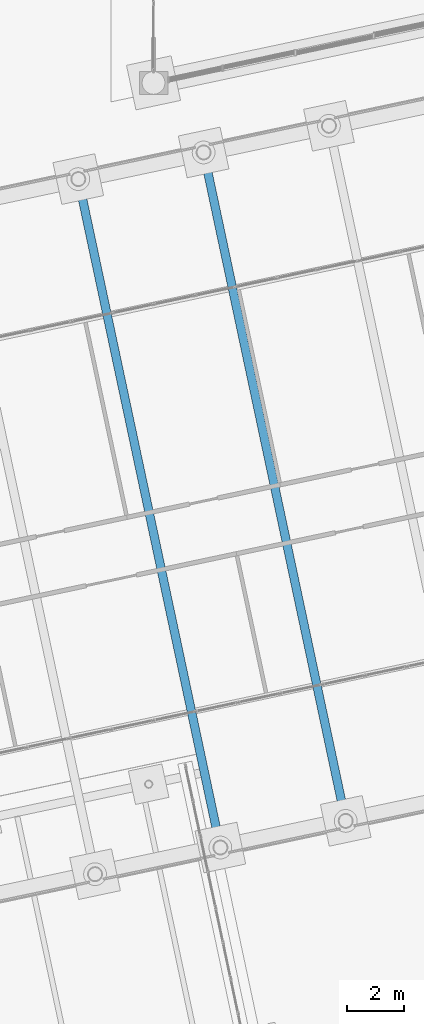
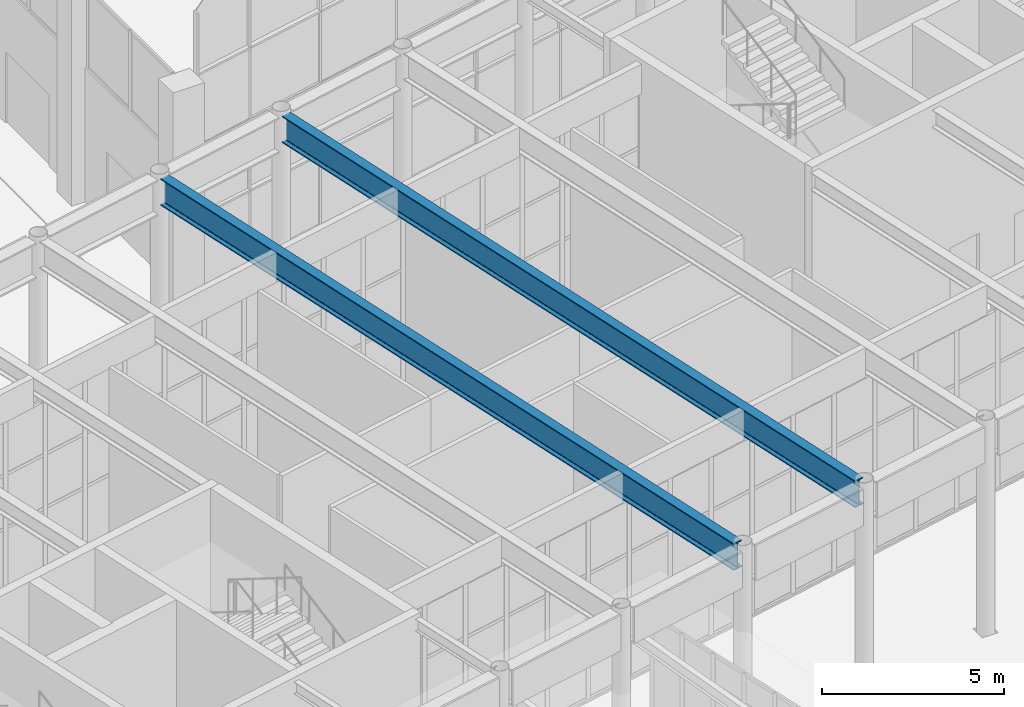
# One storey, part 88 of 239: 2 beams.
"""IFC4 building model written with IfcOpenShell, lengths in metres."""

from ifc_helpers import new_model, si_unit, direction, frame, origin, origin_2d, place, context, subcontext, project, spatial, i_section, extrude, material, material_profile, profile_set, type_object, element, save


model = new_model("IFC4")

# Units and contexts
model_context = context("Model", 3, precision=1e-05, world=origin(), true_north=direction((0.0, 1.0)))
body_context = subcontext(model_context, "Body", "Model", "MODEL_VIEW")
ifc_project = project(units=[si_unit("LENGTHUNIT", "METRE"), si_unit("AREAUNIT", "SQUARE_METRE"), si_unit("VOLUMEUNIT", "CUBIC_METRE"), si_unit("PLANEANGLEUNIT", "RADIAN"), si_unit("MASSUNIT", "GRAM", prefix="KILO")], contexts=[model_context])

# Site, building, storey
site_placement = place(None, origin())
site = spatial("IfcSite", under=ifc_project, at=site_placement, CompositionType="ELEMENT")
building_placement = place(site_placement, origin())
building = spatial("IfcBuilding", under=site, at=building_placement, Name="Okhra Congress Centre", CompositionType="ELEMENT")
storey_placement = place(building_placement, origin())
storey = spatial("IfcBuildingStorey", under=building, at=storey_placement, Name="L00", CompositionType="ELEMENT", Elevation=0.0)

# Beams
ifc_material = material(Name="Steel S355J2", Category="steel")
ifc_material_profile = material_profile(ifc_material, i_section(OverallWidth=0.300048828125, OverallDepth=0.89990234375, WebThickness=0.0185546875, FlangeThickness=0.034912109375, FilletRadius=0.030029296875, at=origin_2d()), Name="HE 900 B")
ifc_profile_set = profile_set([ifc_material_profile], Name="Steel S355J2")
beam_type = type_object("IfcBeamType", Name="Floor beam HE 900 B", PredefinedType="BEAM", material=ifc_profile_set)
for number, where, z_axis, x_axis, name in (
    (1, (157.805908203125, 47.588134765625, 6.60009765625), (-0.207903173005, 0.978149411212, 0.0), (-0.978149411212, -0.207903173005, 0.0), "Floor beam 22.1"),
    (2, (162.207763671875, 48.523681640625, 6.60009765625), (-0.20791307081, 0.978147307406, 0.0), (-0.978147307406, -0.20791307081, 0.0), "Floor beam 23.1"),
):
    element("IfcBeam", number, at=place(storey_placement, frame(where, z_axis=z_axis, x_axis=x_axis)), inside=storey, type_object=beam_type, Name=name, PredefinedType="BEAM", context=body_context, shape_type="SweptSolid", body=[
        extrude(i_section(OverallWidth=0.300048828125, OverallDepth=0.89990234375, WebThickness=0.0185546875, FlangeThickness=0.034912109375, FilletRadius=0.030029296875, at=origin_2d()), origin(), (0.0, 0.0, 1.0), 23.599853515625),
    ])

save(model, "model.ifc")
